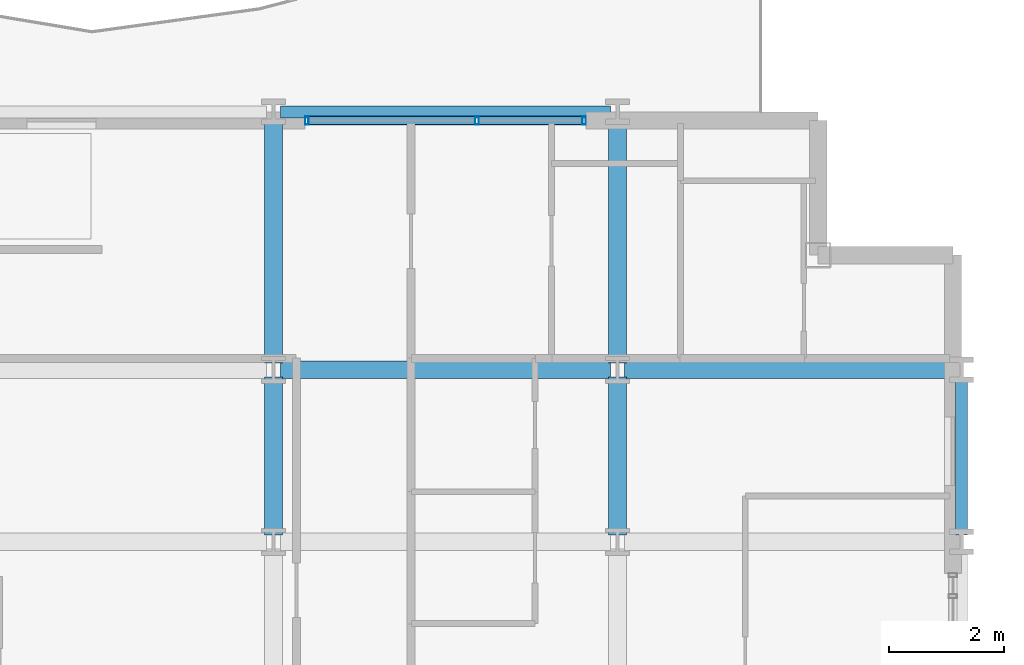
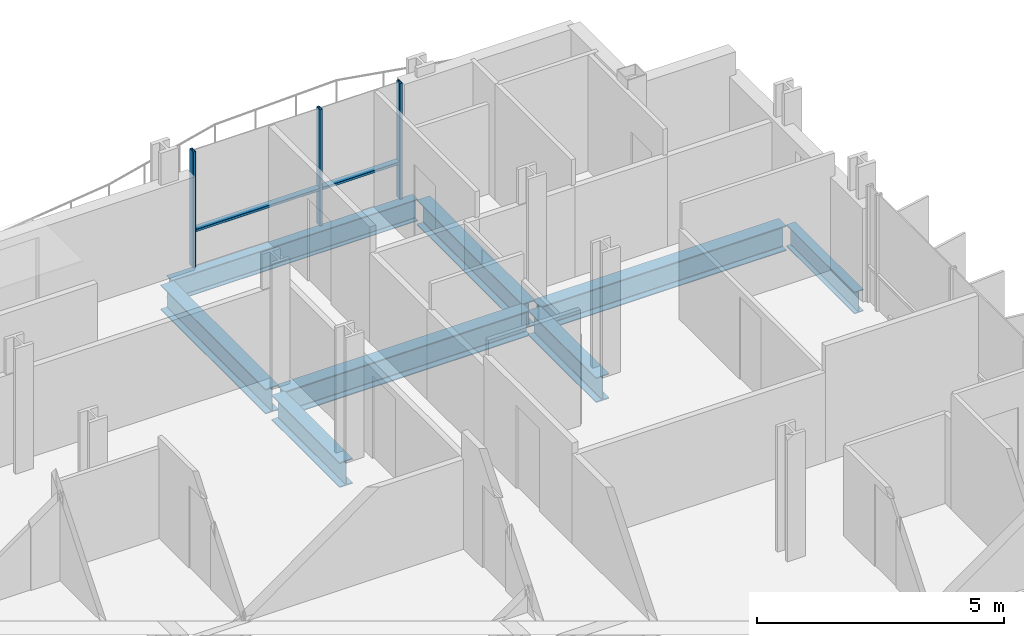
# One storey, part 20 of 38: 8 beams, 5 members, 1 element without a shape of its own.
"""IFC4 building model written with IfcOpenShell, lengths in metres."""

from ifc_helpers import new_model, si_unit, direction, frame, origin, origin_2d, place, context, subcontext, project, spatial, hollow_rectangle, i_section, extrude, material, layer, layer_set, material_profile, profile_set, type_object, element, aggregate, save


model = new_model("IFC4")

# Units and contexts
model_context = context("Model", 3, precision=1e-05, world=origin(), true_north=direction((0.0, 1.0)))
body_context = subcontext(model_context, "Body", "Model", "MODEL_VIEW")
ifc_project = project(units=[si_unit("LENGTHUNIT", "METRE"), si_unit("AREAUNIT", "SQUARE_METRE"), si_unit("VOLUMEUNIT", "CUBIC_METRE"), si_unit("PLANEANGLEUNIT", "RADIAN"), si_unit("MASSUNIT", "GRAM", prefix="KILO")], contexts=[model_context])

# Site, building, storey
site_placement = place(None, origin())
site = spatial("IfcSite", under=ifc_project, at=site_placement, CompositionType="ELEMENT")
building_placement = place(site_placement, origin())
building = spatial("IfcBuilding", under=site, at=building_placement, Name="Brevholm Reach", CompositionType="ELEMENT")
storey_placement = place(building_placement, frame((0.0, 0.0, 52.800048828125)))
storey = spatial("IfcBuildingStorey", under=building, at=storey_placement, Name="L14", CompositionType="ELEMENT", Elevation=52.800048828125)

# Beams
ifc_material_1 = material(Name="Structural Steel S355J2", Category="steel")
ifc_material_profile_1 = material_profile(ifc_material_1, i_section(OverallWidth=0.210693359375, OverallDepth=0.53955078125, WebThickness=0.01171875, FlangeThickness=0.018798828125, FilletRadius=0.0126953125, at=origin_2d()), Name="UKB 533x210x109")
ifc_profile_set_1 = profile_set([ifc_material_profile_1], Name="Structural Steel S355J2")
beam_type_1 = type_object("IfcBeamType", Name="BM-SP539", PredefinedType="SPANDREL", material=ifc_profile_set_1)
beam_1_placement = place(storey_placement, frame((48.1201171875, 31.0, -0.499755859375), z_axis=(1.0, 0.0, 0.0), x_axis=(0.0, 1.0, 0.0)))
element("IfcBeam", 1, at=beam_1_placement, inside=storey, type_object=beam_type_1, Name="L14 SP-01B Framing Beam", PredefinedType="SPANDREL", context=body_context, shape_type="SweptSolid", body=[
    extrude(i_section(OverallWidth=0.210693359375, OverallDepth=0.53955078125, WebThickness=0.01171875, FlangeThickness=0.018798828125, FilletRadius=0.0126953125, at=origin_2d()), origin(), (0.0, 0.0, 1.0), 5.759765625),
])
beam_2_placement = place(storey_placement, frame((60.0, 23.6201171875, -0.499755859375), z_axis=(0.0, 1.0, 0.0), x_axis=(-1.0, 0.0, 0.0)))
element("IfcBeam", 2, at=beam_2_placement, inside=storey, type_object=beam_type_1, Name="L14 SP-01B Framing Beam", PredefinedType="SPANDREL", context=body_context, shape_type="SweptSolid", body=[
    extrude(i_section(OverallWidth=0.210693359375, OverallDepth=0.53955078125, WebThickness=0.01171875, FlangeThickness=0.018798828125, FilletRadius=0.0126953125, at=origin_2d()), origin(), (0.0, 0.0, 1.0), 2.759765625),
])
ifc_material_2 = material(Name="Structural Steel S355J2", Category="steel")
ifc_material_profile_2 = material_profile(ifc_material_2, i_section(OverallWidth=0.30712890625, OverallDepth=0.6201171875, WebThickness=0.01416015625, FlangeThickness=0.023681640625, FilletRadius=0.0166015625, at=origin_2d()), Name="UKB 610x305x179")
ifc_profile_set_2 = profile_set([ifc_material_profile_2], Name="Structural Steel S355J2")
beam_type_2 = type_object("IfcBeamType", Name="BM-UKB610H", PredefinedType="USERDEFINED", material=ifc_profile_set_2)
for number, where, z_axis, x_axis, name in (
    (3, (48.1201171875, 26.5, -0.5400390625), (1.0, 0.0, 0.0), (0.0, 1.0, 0.0), "L14 G-06 Framing Beam"),
    (4, (54.1201171875, 26.5, -0.5400390625), (1.0, 0.0, 0.0), (0.0, 1.0, 0.0), "L14 G-06 Framing Beam"),
):
    element("IfcBeam", number, at=place(storey_placement, frame(where, z_axis=z_axis, x_axis=x_axis)), inside=storey, type_object=beam_type_2, Name=name, ObjectType="GIRDER", PredefinedType="USERDEFINED", context=body_context, shape_type="SweptSolid", body=[
        extrude(i_section(OverallWidth=0.30712890625, OverallDepth=0.6201171875, WebThickness=0.01416015625, FlangeThickness=0.023681640625, FilletRadius=0.0166015625, at=origin_2d()), origin(), (0.0, 0.0, 1.0), 5.759765625),
    ])
beam_3_placement = place(storey_placement, frame((48.0, 23.6201171875, -0.5400390625), z_axis=(0.0, 1.0, 0.0), x_axis=(-1.0, 0.0, 0.0)))
element("IfcBeam", 5, at=beam_3_placement, inside=storey, type_object=beam_type_2, Name="L14 G-06 Framing Beam", ObjectType="GIRDER", PredefinedType="USERDEFINED", context=body_context, shape_type="SweptSolid", body=[
    extrude(i_section(OverallWidth=0.30712890625, OverallDepth=0.6201171875, WebThickness=0.01416015625, FlangeThickness=0.023681640625, FilletRadius=0.0166015625, at=origin_2d()), origin(), (0.0, 0.0, 1.0), 2.759765625),
])
beam_4_placement = place(storey_placement, frame((48.0, 26.6201171875, -0.5400390625), z_axis=(0.0, 1.0, 0.0), x_axis=(-1.0, 0.0, 0.0)))
element("IfcBeam", 6, at=beam_4_placement, inside=storey, type_object=beam_type_2, Name="L14 G-06 Framing Beam", ObjectType="GIRDER", PredefinedType="USERDEFINED", context=body_context, shape_type="SweptSolid", body=[
    extrude(i_section(OverallWidth=0.30712890625, OverallDepth=0.6201171875, WebThickness=0.01416015625, FlangeThickness=0.023681640625, FilletRadius=0.0166015625, at=origin_2d()), origin(), (0.0, 0.0, 1.0), 4.259765625),
])
beam_5_placement = place(storey_placement, frame((54.0, 23.6201171875, -0.5400390625), z_axis=(0.0, 1.0, 0.0), x_axis=(-1.0, 0.0, 0.0)))
element("IfcBeam", 7, at=beam_5_placement, inside=storey, type_object=beam_type_2, Name="L14 G-06 Framing Beam", ObjectType="GIRDER", PredefinedType="USERDEFINED", context=body_context, shape_type="SweptSolid", body=[
    extrude(i_section(OverallWidth=0.30712890625, OverallDepth=0.6201171875, WebThickness=0.01416015625, FlangeThickness=0.023681640625, FilletRadius=0.0166015625, at=origin_2d()), origin(), (0.0, 0.0, 1.0), 2.759765625),
])
beam_6_placement = place(storey_placement, frame((54.0, 26.6201171875, -0.5400390625), z_axis=(0.0, 1.0, 0.0), x_axis=(-1.0, 0.0, 0.0)))
element("IfcBeam", 8, at=beam_6_placement, inside=storey, type_object=beam_type_2, Name="L14 G-06 Framing Beam", ObjectType="GIRDER", PredefinedType="USERDEFINED", context=body_context, shape_type="SweptSolid", body=[
    extrude(i_section(OverallWidth=0.30712890625, OverallDepth=0.6201171875, WebThickness=0.01416015625, FlangeThickness=0.023681640625, FilletRadius=0.0166015625, at=origin_2d()), origin(), (0.0, 0.0, 1.0), 4.259765625),
])

# Curtain wall, members
ifc_material_3 = material(Name="Dark Anodised Aluminium 6063-T6 and Solar-Control Glass", Category="aluminium")
ifc_layer = layer(ifc_material_3, 0.14990234375)
ifc_layer_set = layer_set([ifc_layer], Name="Dark Anodised Aluminium 6063-T6 and Solar-Control Glass")
curtain_wall_type = type_object("IfcCurtainWallType", Name="CW-01", PredefinedType="NOTDEFINED", material=ifc_layer_set)
curtain_wall_placement = place(storey_placement, origin())
curtain_wall = element("IfcCurtainWall", 9, at=curtain_wall_placement, inside=storey, type_object=curtain_wall_type, Name="L14 Curtain Wall CW-01", PredefinedType="NOTDEFINED")
ifc_material_4 = material(Name="Dark Anodised Aluminium 6063-T6", Category="aluminium")
ifc_material_profile_3 = material_profile(ifc_material_4, hollow_rectangle(XDim=0.06494140625, YDim=0.14990234375, WallThickness=0.0048828125, InnerFilletRadius=0.0048828125, OuterFilletRadius=0.010009765625, at=origin_2d()), Name="RHS 150x65x5")
ifc_profile_set_3 = profile_set([ifc_material_profile_3], Name="Dark Anodised Aluminium 6063-T6")
member_type_1 = type_object("IfcMemberType", Name="CWM-150", PredefinedType="MULLION", material=ifc_profile_set_3)
member_1_placement = place(storey_placement, frame((48.58251953125, 30.85009765625, 0.0), z_axis=(0.0, 0.0, 1.0), x_axis=(1.0, 0.0, 0.0)))
member_1 = element("IfcMember", 10, at=member_1_placement, type_object=member_type_1, Name="CM-150 Mullion 1", PredefinedType="MULLION", context=body_context, shape_type="SweptSolid", body=[
    extrude(hollow_rectangle(XDim=0.06494140625, YDim=0.14990234375, WallThickness=0.0048828125, InnerFilletRadius=0.0048828125, OuterFilletRadius=0.010009765625, at=origin_2d()), origin(), (0.0, 0.0, 1.0), 2.869873046875),
])
member_2_placement = place(storey_placement, frame((51.550048828125, 30.85009765625, 0.0), z_axis=(0.0, 0.0, 1.0), x_axis=(1.0, 0.0, 0.0)))
member_2 = element("IfcMember", 11, at=member_2_placement, type_object=member_type_1, Name="CM-150 Mullion 2", PredefinedType="MULLION", context=body_context, shape_type="SweptSolid", body=[
    extrude(hollow_rectangle(XDim=0.06494140625, YDim=0.14990234375, WallThickness=0.0048828125, InnerFilletRadius=0.0048828125, OuterFilletRadius=0.010009765625, at=origin_2d()), origin(), (0.0, 0.0, 1.0), 2.869873046875),
])
member_3_placement = place(storey_placement, frame((53.41748046875, 30.85009765625, 0.0), z_axis=(0.0, 0.0, 1.0), x_axis=(1.0, 0.0, 0.0)))
member_3 = element("IfcMember", 12, at=member_3_placement, type_object=member_type_1, Name="CM-150 Mullion 3", PredefinedType="MULLION", context=body_context, shape_type="SweptSolid", body=[
    extrude(hollow_rectangle(XDim=0.06494140625, YDim=0.14990234375, WallThickness=0.0048828125, InnerFilletRadius=0.0048828125, OuterFilletRadius=0.010009765625, at=origin_2d()), origin(), (0.0, 0.0, 1.0), 2.869873046875),
])
ifc_material_5 = material(Name="Dark Anodised Aluminium 6063-T6", Category="aluminium")
ifc_material_profile_4 = material_profile(ifc_material_5, hollow_rectangle(XDim=0.06494140625, YDim=0.14990234375, WallThickness=0.0048828125, InnerFilletRadius=0.0048828125, OuterFilletRadius=0.010009765625, at=origin_2d()), Name="RHS 150x65x5")
ifc_profile_set_4 = profile_set([ifc_material_profile_4], Name="Dark Anodised Aluminium 6063-T6")
member_type_2 = type_object("IfcMemberType", Name="CWT-150", PredefinedType="NOTDEFINED", material=ifc_profile_set_4)
member_4_placement = place(storey_placement, frame((48.614990234375, 30.85009765625, 0.89990234375), z_axis=(1.0, 0.0, 0.0), x_axis=(0.0, 0.0, 1.0)))
member_4 = element("IfcMember", 13, at=member_4_placement, type_object=member_type_2, Name="CT-150 Transom 1.1", ObjectType="TRANSOM", PredefinedType="USERDEFINED", context=body_context, shape_type="SweptSolid", body=[
    extrude(hollow_rectangle(XDim=0.06494140625, YDim=0.14990234375, WallThickness=0.0048828125, InnerFilletRadius=0.0048828125, OuterFilletRadius=0.010009765625, at=origin_2d()), origin(), (0.0, 0.0, 1.0), 2.902587890625),
])
member_5_placement = place(storey_placement, frame((51.58251953125, 30.85009765625, 0.89990234375), z_axis=(1.0, 0.0, 0.0), x_axis=(0.0, 0.0, 1.0)))
member_5 = element("IfcMember", 14, at=member_5_placement, type_object=member_type_2, Name="CT-150 Transom 2.1", ObjectType="TRANSOM", PredefinedType="USERDEFINED", context=body_context, shape_type="SweptSolid", body=[
    extrude(hollow_rectangle(XDim=0.06494140625, YDim=0.14990234375, WallThickness=0.0048828125, InnerFilletRadius=0.0048828125, OuterFilletRadius=0.010009765625, at=origin_2d()), origin(), (0.0, 0.0, 1.0), 1.802490234375),
])
aggregate(curtain_wall, [member_1, member_2, member_3, member_4, member_5])

save(model, "model.ifc")
